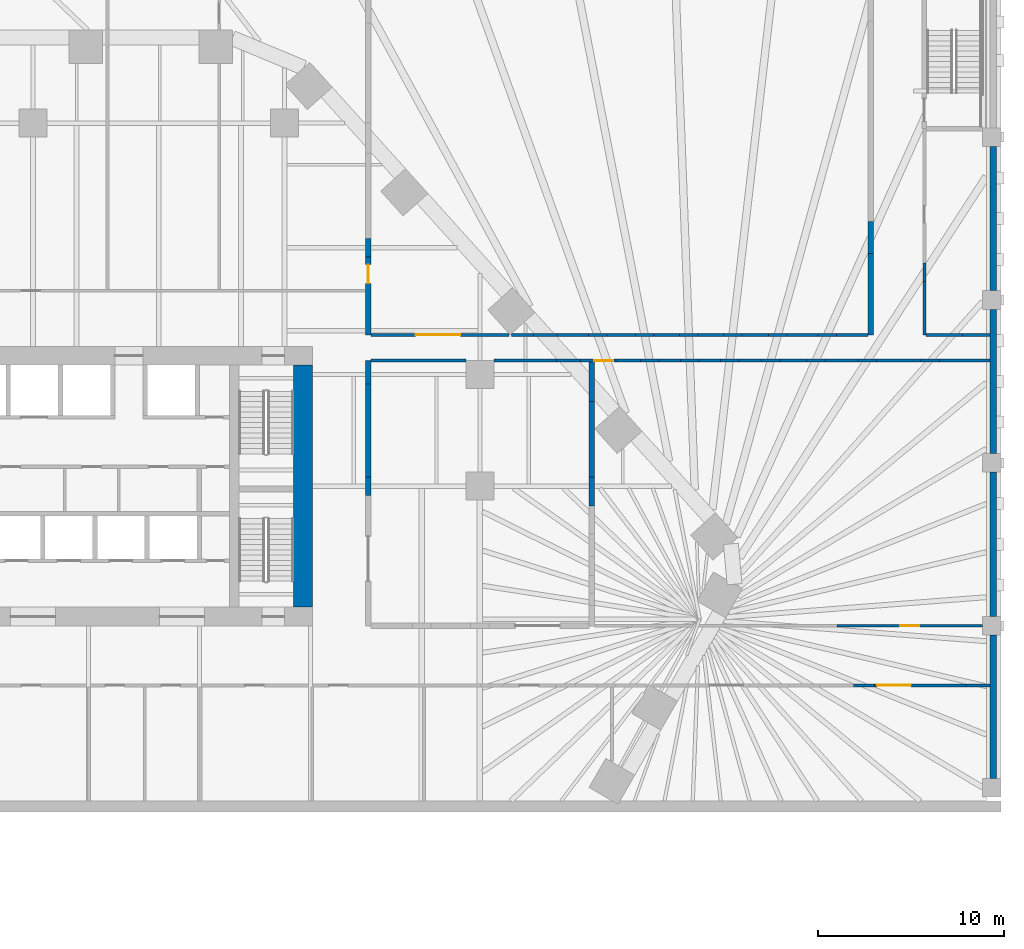
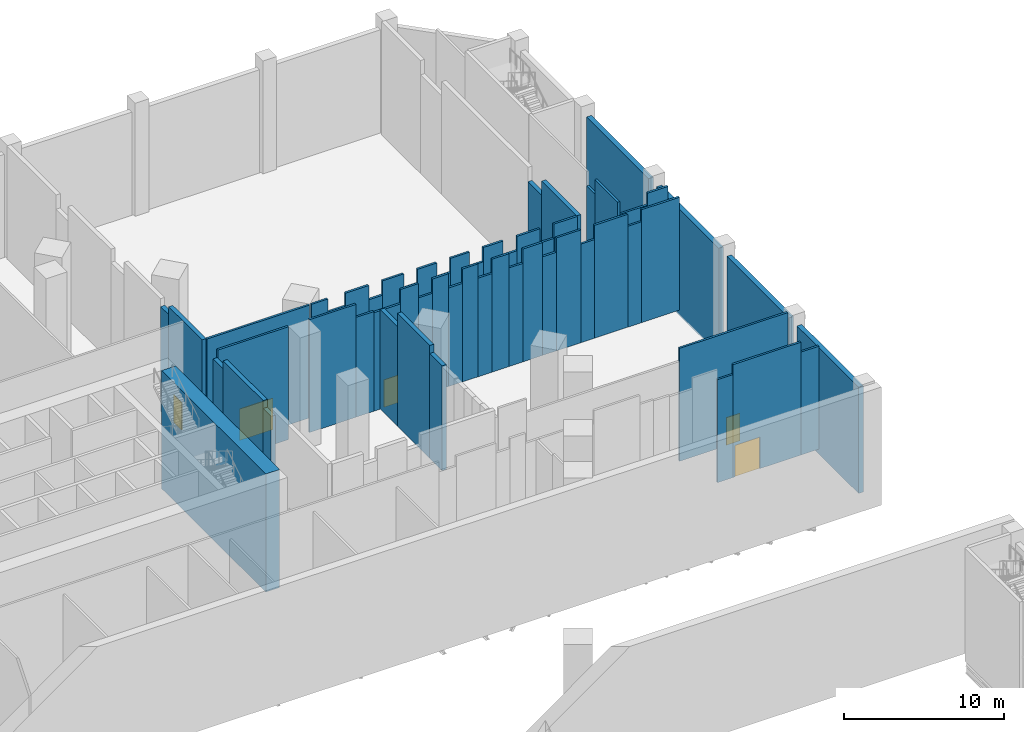
# One storey, part 10 of 23: 58 walls, 5 doors, 5 openings.
"""IFC4 building model written with IfcOpenShell, lengths in metres."""

from ifc_helpers import new_model, si_unit, direction, frame, frame_2d, origin, place, context, subcontext, project, spatial, rectangle, extrude, material, layer, layer_set, type_object, element, fill, save


model = new_model("IFC4")

# Units and contexts
model_context = context("Model", 3, precision=1e-05, world=origin(), true_north=direction((0.0, 1.0)))
body_context = subcontext(model_context, "Body", "Model", "MODEL_VIEW")
ifc_project = project(units=[si_unit("LENGTHUNIT", "METRE"), si_unit("AREAUNIT", "SQUARE_METRE"), si_unit("VOLUMEUNIT", "CUBIC_METRE"), si_unit("PLANEANGLEUNIT", "RADIAN"), si_unit("MASSUNIT", "GRAM", prefix="KILO")], contexts=[model_context])

# Site, building, storey
site_placement = place(None, origin())
site = spatial("IfcSite", under=ifc_project, at=site_placement, CompositionType="ELEMENT")
building_placement = place(site_placement, origin())
building = spatial("IfcBuilding", under=site, at=building_placement, Name="Isthmus Gate Tower", CompositionType="ELEMENT")
storey_placement = place(building_placement, frame((0.0, 0.0, 9.0)))
storey = spatial("IfcBuildingStorey", under=building, at=storey_placement, Name="L01", CompositionType="ELEMENT", Elevation=9.0)

# Walls
ifc_material_1 = material(Name="Double-leaf gypsum board with mineral wool, resilient mounted")
ifc_layer_1 = layer(ifc_material_1, 0.300048828125)
ifc_layer_set_1 = layer_set([ifc_layer_1], Name="Acoustic studio wall 300 double leaf")
wall_type_1 = type_object("IfcWallType", Name="Acoustic studio wall 300 double leaf", PredefinedType="PARTITIONING", material=ifc_layer_set_1)
wall_1_placement = place(storey_placement, frame((18.0, 7.0, 0.0), z_axis=(0.0, 0.0, 1.0), x_axis=(0.0, 1.0, 0.0)))
element("IfcWall", 1, at=wall_1_placement, inside=storey, type_object=wall_type_1, Name="Acoustic studio wall", PredefinedType="PARTITIONING", context=body_context, shape_type="SweptSolid", body=[
    extrude(rectangle(XDim=1.0, YDim=0.300048828125, at=frame_2d((0.5, 0.0))), origin(), (0.0, 0.0, 1.0), 7.99365234375),
])
wall_2_placement = place(storey_placement, frame((18.0, 8.0, 0.0), z_axis=(0.0, 0.0, 1.0), x_axis=(0.0, 1.0, 0.0)))
element("IfcWall", 2, at=wall_2_placement, inside=storey, type_object=wall_type_1, Name="Acoustic studio wall", PredefinedType="PARTITIONING", context=body_context, shape_type="SweptSolid", body=[
    extrude(rectangle(XDim=5.0, YDim=0.300048828125, at=frame_2d((2.5, 0.0))), origin(), (0.0, 0.0, 1.0), 8.60009765625),
])
wall_3_placement = place(storey_placement, frame((18.0, 13.0, 0.0), z_axis=(0.0, 0.0, 1.0), x_axis=(0.0, 1.0, 0.0)))
element("IfcWall", 3, at=wall_3_placement, inside=storey, type_object=wall_type_1, Name="Acoustic studio wall", PredefinedType="PARTITIONING", context=body_context, shape_type="SweptSolid", body=[
    extrude(rectangle(XDim=1.25, YDim=0.300048828125, at=frame_2d((0.625, 0.0))), origin(), (0.0, 0.0, 1.0), 7.99365234375),
])

# Wall, opening, door
wall_4_placement = place(storey_placement, frame((18.0, 15.62939453125, 0.0), z_axis=(0.0, 0.0, 1.0), x_axis=(0.0, 1.0, 0.0)))
wall_4 = element("IfcWall", 4, at=wall_4_placement, inside=storey, type_object=wall_type_1, Name="Acoustic studio wall", PredefinedType="PARTITIONING", context=body_context, shape_type="SweptSolid", body=[
    extrude(rectangle(XDim=4.177734375, YDim=0.300048828125, at=frame_2d((2.0888671875, 0.0))), origin(), (0.0, 0.0, 1.0), 8.60009765625),
])
opening_1_placement = place(wall_4_placement, frame((2.770751953125, 0.0, 0.0)))
opening_1 = element("IfcOpeningElement", 5, at=opening_1_placement, cuts=wall_4, Name="Opening DP01-08", PredefinedType="OPENING", context=body_context, shape_type="SweptSolid", body=[
    extrude(rectangle(XDim=1.0, YDim=2.10009765625, at=frame_2d((0.5, 1.050048828125))), frame((0.0, 0.159912109375, 0.0), z_axis=(0.0, -1.0, 0.0), x_axis=(1.0, 0.0, 0.0)), (0.0, 0.0, 1.0), 0.320068359375),
])
ifc_material_2 = material(Name="Acoustic steel door with perimeter seals", Category="steel")
door_type_1 = type_object("IfcDoorType", Name="Acoustic sound lock door 1000 x 2100", OperationType="SINGLE_SWING_LEFT", PredefinedType="DOOR", material=ifc_material_2)
door_1_placement = place(opening_1_placement, origin())
door_1 = element("IfcDoor", 6, at=door_1_placement, inside=storey, type_object=door_type_1, Name="Door DP01-08", OperationType="SINGLE_SWING_LEFT", OverallHeight=2.10009765625, OverallWidth=1.0, PredefinedType="DOOR", context=body_context, shape_type="SweptSolid", body=[
    extrude(rectangle(XDim=1.0, YDim=2.10009765625, at=frame_2d((0.5, 1.050048828125))), frame((0.0, 0.02490234375, 0.0), z_axis=(0.0, -1.0, 0.0), x_axis=(1.0, 0.0, 0.0)), (0.0, 0.0, 1.0), 0.050048828125),
])
fill(opening_1, door_1)

# Walls
wall_5_placement = place(storey_placement, frame((18.0, 19.80712890625, 0.0), z_axis=(0.0, 0.0, 1.0), x_axis=(0.0, 1.0, 0.0)))
element("IfcWall", 7, at=wall_5_placement, inside=storey, type_object=wall_type_1, Name="Acoustic studio wall", PredefinedType="PARTITIONING", context=body_context, shape_type="SweptSolid", body=[
    extrude(rectangle(XDim=1.0, YDim=0.300048828125, at=frame_2d((0.5, 0.0))), origin(), (0.0, 0.0, 1.0), 7.996826171875),
])
wall_6_placement = place(storey_placement, frame((30.0, 6.447265625, 0.0), z_axis=(0.0, 0.0, 1.0), x_axis=(0.0, 1.0, 0.0)))
element("IfcWall", 8, at=wall_6_placement, inside=storey, type_object=wall_type_1, Name="Acoustic studio wall", PredefinedType="PARTITIONING", context=body_context, shape_type="SweptSolid", body=[
    extrude(rectangle(XDim=1.552734375, YDim=0.300048828125, at=frame_2d((0.7763671875, 0.0))), origin(), (0.0, 0.0, 1.0), 7.99365234375),
])
wall_7_placement = place(storey_placement, frame((30.0, 8.0, 0.0), z_axis=(0.0, 0.0, 1.0), x_axis=(0.0, 1.0, 0.0)))
element("IfcWall", 9, at=wall_7_placement, inside=storey, type_object=wall_type_1, Name="Acoustic studio wall", PredefinedType="PARTITIONING", context=body_context, shape_type="SweptSolid", body=[
    extrude(rectangle(XDim=4.0400390625, YDim=0.300048828125, at=frame_2d((2.02001953125, 0.0))), origin(), (0.0, 0.0, 1.0), 8.60009765625),
])
wall_8_placement = place(storey_placement, frame((30.0, 12.0400390625, 0.0), z_axis=(0.0, 0.0, 1.0), x_axis=(0.0, 1.0, 0.0)))
element("IfcWall", 10, at=wall_8_placement, inside=storey, type_object=wall_type_1, Name="Acoustic studio wall", PredefinedType="PARTITIONING", context=body_context, shape_type="SweptSolid", body=[
    extrude(rectangle(XDim=2.135009765625, YDim=0.300048828125, at=frame_2d((1.0673828125, 0.0))), origin(), (0.0, 0.0, 1.0), 7.60009765625),
])
wall_9_placement = place(storey_placement, frame((45.0, 15.62939453125, 0.0), z_axis=(0.0, 0.0, 1.0), x_axis=(0.0, 1.0, 0.0)))
element("IfcWall", 11, at=wall_9_placement, inside=storey, type_object=wall_type_1, Name="Acoustic studio wall", PredefinedType="PARTITIONING", context=body_context, shape_type="SweptSolid", body=[
    extrude(rectangle(XDim=4.37646484375, YDim=0.300048828125, at=frame_2d((2.188232421875, 0.0))), origin(), (0.0, 0.0, 1.0), 8.60009765625),
])
wall_10_placement = place(storey_placement, frame((45.0, 20.005859375, 0.0), z_axis=(0.0, 0.0, 1.0), x_axis=(0.0, 1.0, 0.0)))
element("IfcWall", 12, at=wall_10_placement, inside=storey, type_object=wall_type_1, Name="Acoustic studio wall", PredefinedType="PARTITIONING", context=body_context, shape_type="SweptSolid", body=[
    extrude(rectangle(XDim=1.711181640625, YDim=0.300048828125, at=frame_2d((0.85546875, 0.0))), origin(), (0.0, 0.0, 1.0), 7.510986328125),
])
ifc_material_3 = material(Name="Fire-rated gypsum board on steel studs", Category="steel")
ifc_layer_2 = layer(ifc_material_3, 0.14990234375)
ifc_layer_set_2 = layer_set([ifc_layer_2], Name="Fire-rated partition 150 EI 60")
wall_type_2 = type_object("IfcWallType", Name="Fire-rated partition 150 EI 60", PredefinedType="PARTITIONING", material=ifc_layer_set_2)
wall_11_placement = place(storey_placement, frame((47.875, 15.62939453125, 0.0), z_axis=(0.0, 0.0, 1.0), x_axis=(0.0, 1.0, 0.0)))
element("IfcWall", 13, at=wall_11_placement, inside=storey, type_object=wall_type_2, Name="Fire-rated partition", PredefinedType="PARTITIONING", context=body_context, shape_type="SweptSolid", body=[
    extrude(rectangle(XDim=2.85546875, YDim=0.14990234375, at=frame_2d((1.427734375, 0.0))), origin(), (0.0, 0.0, 1.0), 8.60009765625),
])
wall_12_placement = place(storey_placement, frame((47.875, 18.48486328125, 0.0), z_axis=(0.0, 0.0, 1.0), x_axis=(0.0, 1.0, 0.0)))
element("IfcWall", 14, at=wall_12_placement, inside=storey, type_object=wall_type_2, Name="Fire-rated partition", PredefinedType="PARTITIONING", context=body_context, shape_type="SweptSolid", body=[
    extrude(rectangle(XDim=1.01171875, YDim=0.14990234375, at=frame_2d((0.505859375, 0.0))), origin(), (0.0, 0.0, 1.0), 7.510986328125),
])
ifc_material_4 = material(Name="Precast concrete C40/50, limestone-faced", Category="masonry")
ifc_layer_3 = layer(ifc_material_4, 0.35009765625)
ifc_layer_set_3 = layer_set([ifc_layer_3], Name="PODIUM CLADDING WALL 350")
wall_type_3 = type_object("IfcWallType", Name="PODIUM CLADDING WALL 350", PredefinedType="SOLIDWALL", material=ifc_layer_set_3)
wall_13_placement = place(storey_placement, frame((51.574951171875, -8.199951171875, -0.39990234375), z_axis=(0.0, 0.0, 1.0), x_axis=(0.0, 1.0, 0.0)))
element("IfcWall", 15, at=wall_13_placement, inside=storey, type_object=wall_type_3, Name="PODIUM WALL", PredefinedType="SOLIDWALL", context=body_context, shape_type="SweptSolid", body=[
    extrude(rectangle(XDim=7.699951171875, YDim=0.35009765625, at=frame_2d((3.85009765625, 0.0))), origin(), (0.0, 0.0, 1.0), 8.099853515625),
])
for number, where, z_axis, x_axis, name in (
    (16, (51.574951171875, 0.5, -0.39990234375), (0.0, 0.0, 1.0), (0.0, 1.0, 0.0), "PODIUM WALL"),
    (17, (51.574951171875, 9.25, -0.39990234375), (0.0, 0.0, 1.0), (0.0, 1.0, 0.0), "PODIUM WALL"),
    (18, (51.574951171875, 18.0, -0.39990234375), (0.0, 0.0, 1.0), (0.0, 1.0, 0.0), "PODIUM WALL"),
):
    element("IfcWall", number, at=place(storey_placement, frame(where, z_axis=z_axis, x_axis=x_axis)), inside=storey, type_object=wall_type_3, Name=name, PredefinedType="SOLIDWALL", context=body_context, shape_type="SweptSolid", body=[
        extrude(rectangle(XDim=7.75, YDim=0.35009765625, at=frame_2d((3.875, 0.0))), origin(), (0.0, 0.0, 1.0), 8.099853515625),
    ])
ifc_material_5 = material(Name="Gypsum board on cold-formed steel studs", Category="steel")
ifc_layer_4 = layer(ifc_material_5, 0.14990234375)
ifc_layer_set_4 = layer_set([ifc_layer_4])
wall_type_4 = type_object("IfcWallType", Name="Partition 150 gypsum board on steel studs", PredefinedType="PARTITIONING", material=ifc_layer_set_4)
wall_14_placement = place(storey_placement, frame((44.077392578125, -3.199951171875, 0.0), z_axis=(0.0, 0.0, 1.0), x_axis=(1.0, 0.0, 0.0)))
element("IfcWall", 19, at=wall_14_placement, inside=storey, type_object=wall_type_4, Name="Partition", PredefinedType="PARTITIONING", context=body_context, shape_type="SweptSolid", body=[
    extrude(rectangle(XDim=1.11474609375, YDim=0.14990234375, at=frame_2d((0.557373046875, 0.0))), origin(), (0.0, 0.0, 1.0), 7.84130859375),
])

# Wall, opening, door
wall_15_placement = place(storey_placement, frame((45.192138671875, -3.199951171875, 0.0), z_axis=(0.0, 0.0, 1.0), x_axis=(1.0, 0.0, 0.0)))
wall_15 = element("IfcWall", 20, at=wall_15_placement, inside=storey, type_object=wall_type_4, Name="Partition", PredefinedType="PARTITIONING", context=body_context, shape_type="SweptSolid", body=[
    extrude(rectangle(XDim=4.90380859375, YDim=0.14990234375, at=frame_2d((2.451904296875, 0.0))), origin(), (0.0, 0.0, 1.0), 8.60009765625),
])
opening_2_placement = place(wall_15_placement, frame((0.14990234375, 0.0, 0.0)))
opening_2 = element("IfcOpeningElement", 21, at=opening_2_placement, cuts=wall_15, Name="Opening DP01-24", PredefinedType="OPENING", context=body_context, shape_type="SweptSolid", body=[
    extrude(rectangle(XDim=1.800048828125, YDim=2.39990234375, at=frame_2d((0.89990234375, 1.199951171875))), frame((0.0, 0.0849609375, 0.0), z_axis=(0.0, -1.0, 0.0), x_axis=(1.0, 0.0, 0.0)), (0.0, 0.0, 1.0), 0.169921875),
])
ifc_material_6 = material(Name="Hollow metal frame with solid-core timber leaves", Category="wood")
door_type_2 = type_object("IfcDoorType", Name="Double swing door 1800 x 2400", OperationType="DOUBLE_DOOR_SINGLE_SWING", PredefinedType="DOOR", material=ifc_material_6)
door_2_placement = place(opening_2_placement, origin())
door_2 = element("IfcDoor", 22, at=door_2_placement, inside=storey, type_object=door_type_2, Name="Door DP01-24", OperationType="SINGLE_SWING_LEFT", OverallHeight=2.39990234375, OverallWidth=1.800048828125, PredefinedType="DOOR", context=body_context, shape_type="SweptSolid", body=[
    extrude(rectangle(XDim=1.800048828125, YDim=2.39990234375, at=frame_2d((0.89990234375, 1.199951171875))), frame((0.0, 0.02490234375, 0.0), z_axis=(0.0, -1.0, 0.0), x_axis=(1.0, 0.0, 0.0)), (0.0, 0.0, 1.0), 0.050048828125),
])
fill(opening_2, door_2)

# Wall
wall_16_placement = place(storey_placement, frame((50.095947265625, -3.199951171875, 0.0), z_axis=(0.0, 0.0, 1.0), x_axis=(1.0, 0.0, 0.0)))
element("IfcWall", 23, at=wall_16_placement, inside=storey, type_object=wall_type_4, Name="Partition", PredefinedType="PARTITIONING", context=body_context, shape_type="SweptSolid", body=[
    extrude(rectangle(XDim=1.303955078125, YDim=0.14990234375, at=frame_2d((0.65185546875, 0.0))), origin(), (0.0, 0.0, 1.0), 7.84130859375),
])

# Wall, opening, door
wall_17_placement = place(storey_placement, frame((43.185791015625, 0.0, 0.0), z_axis=(0.0, 0.0, 1.0), x_axis=(1.0, 0.0, 0.0)))
wall_17 = element("IfcWall", 24, at=wall_17_placement, inside=storey, type_object=wall_type_4, Name="Partition", PredefinedType="PARTITIONING", context=body_context, shape_type="SweptSolid", body=[
    extrude(rectangle(XDim=7.814208984375, YDim=0.14990234375, at=frame_2d((3.9072265625, 0.0))), origin(), (0.0, 0.0, 1.0), 8.60009765625),
])
opening_3_placement = place(wall_17_placement, frame((3.39990234375, 0.0, 0.0)))
opening_3 = element("IfcOpeningElement", 25, at=opening_3_placement, cuts=wall_17, Name="Opening DP01-34", PredefinedType="OPENING", context=body_context, shape_type="SweptSolid", body=[
    extrude(rectangle(XDim=1.0, YDim=2.10009765625, at=frame_2d((0.5, 1.050048828125))), frame((0.0, 0.0849609375, 0.0), z_axis=(0.0, -1.0, 0.0), x_axis=(1.0, 0.0, 0.0)), (0.0, 0.0, 1.0), 0.169921875),
])
ifc_material_7 = material(Name="Hollow metal frame with solid-core timber leaf", Category="wood")
door_type_3 = type_object("IfcDoorType", Name="Single swing door 1000 x 2100", OperationType="SINGLE_SWING_LEFT", PredefinedType="DOOR", material=ifc_material_7)
door_3_placement = place(opening_3_placement, origin())
door_3 = element("IfcDoor", 26, at=door_3_placement, inside=storey, type_object=door_type_3, Name="Door DP01-34", OperationType="SINGLE_SWING_LEFT", OverallHeight=2.10009765625, OverallWidth=1.0, PredefinedType="DOOR", context=body_context, shape_type="SweptSolid", body=[
    extrude(rectangle(XDim=1.0, YDim=2.10009765625, at=frame_2d((0.5, 1.050048828125))), frame((0.0, 0.02490234375, 0.0), z_axis=(0.0, -1.0, 0.0), x_axis=(1.0, 0.0, 0.0)), (0.0, 0.0, 1.0), 0.050048828125),
])
fill(opening_3, door_3)

# Walls
wall_18_placement = place(storey_placement, frame((18.14990234375, 14.25, 0.0), z_axis=(0.0, 0.0, 1.0), x_axis=(1.0, 0.0, 0.0)))
element("IfcWall", 27, at=wall_18_placement, inside=storey, type_object=wall_type_4, Name="Partition", PredefinedType="PARTITIONING", context=body_context, shape_type="SweptSolid", body=[
    extrude(rectangle(XDim=5.10009765625, YDim=0.14990234375, at=frame_2d((2.550048828125, 0.0))), origin(), (0.0, 0.0, 1.0), 8.60009765625),
])
wall_19_placement = place(storey_placement, frame((24.75, 14.25, 0.0), z_axis=(0.0, 0.0, 1.0), x_axis=(1.0, 0.0, 0.0)))
element("IfcWall", 28, at=wall_19_placement, inside=storey, type_object=wall_type_4, Name="Partition", PredefinedType="PARTITIONING", context=body_context, shape_type="SweptSolid", body=[
    extrude(rectangle(XDim=3.361083984375, YDim=0.14990234375, at=frame_2d((1.6806640625, 0.0))), origin(), (0.0, 0.0, 1.0), 8.60009765625),
])
wall_20_placement = place(storey_placement, frame((28.111083984375, 14.25, 0.0), z_axis=(0.0, 0.0, 1.0), x_axis=(1.0, 0.0, 0.0)))
element("IfcWall", 29, at=wall_20_placement, inside=storey, type_object=wall_type_4, Name="Partition", PredefinedType="PARTITIONING", context=body_context, shape_type="SweptSolid", body=[
    extrude(rectangle(XDim=1.2783203125, YDim=0.14990234375, at=frame_2d((0.63916015625, 0.0))), origin(), (0.0, 0.0, 1.0), 7.60009765625),
])

# Wall, opening, door
wall_21_placement = place(storey_placement, frame((29.389404296875, 14.25, 0.0), z_axis=(0.0, 0.0, 1.0), x_axis=(1.0, 0.0, 0.0)))
wall_21 = element("IfcWall", 30, at=wall_21_placement, inside=storey, type_object=wall_type_4, Name="Partition", PredefinedType="PARTITIONING", context=body_context, shape_type="SweptSolid", body=[
    extrude(rectangle(XDim=1.92919921875, YDim=0.14990234375, at=frame_2d((0.964599609375, 0.0))), origin(), (0.0, 0.0, 1.0), 7.510986328125),
])
opening_4_placement = place(wall_21_placement, frame((0.760498046875, 0.0, 0.0)))
opening_4 = element("IfcOpeningElement", 31, at=opening_4_placement, cuts=wall_21, Name="Opening DP01-35", PredefinedType="OPENING", context=body_context, shape_type="SweptSolid", body=[
    extrude(rectangle(XDim=1.0, YDim=2.10009765625, at=frame_2d((0.5, 1.050048828125))), frame((0.0, 0.0849609375, 0.0), z_axis=(0.0, -1.0, 0.0), x_axis=(1.0, 0.0, 0.0)), (0.0, 0.0, 1.0), 0.169921875),
])
door_4_placement = place(opening_4_placement, origin())
door_4 = element("IfcDoor", 32, at=door_4_placement, inside=storey, type_object=door_type_3, Name="Door DP01-35", OperationType="SINGLE_SWING_LEFT", OverallHeight=2.10009765625, OverallWidth=1.0, PredefinedType="DOOR", context=body_context, shape_type="SweptSolid", body=[
    extrude(rectangle(XDim=1.0, YDim=2.10009765625, at=frame_2d((0.5, 1.050048828125))), frame((0.0, 0.02490234375, 0.0), z_axis=(0.0, -1.0, 0.0), x_axis=(1.0, 0.0, 0.0)), (0.0, 0.0, 1.0), 0.050048828125),
])
fill(opening_4, door_4)

# Walls
wall_22_placement = place(storey_placement, frame((31.318603515625, 14.25, 0.0), z_axis=(0.0, 0.0, 1.0), x_axis=(1.0, 0.0, 0.0)))
element("IfcWall", 33, at=wall_22_placement, inside=storey, type_object=wall_type_4, Name="Partition", PredefinedType="PARTITIONING", context=body_context, shape_type="SweptSolid", body=[
    extrude(rectangle(XDim=1.29541015625, YDim=0.14990234375, at=frame_2d((0.647705078125, 0.0))), origin(), (0.0, 0.0, 1.0), 8.60009765625),
])
wall_23_placement = place(storey_placement, frame((32.614013671875, 14.25, 0.0), z_axis=(0.0, 0.0, 1.0), x_axis=(1.0, 0.0, 0.0)))
element("IfcWall", 34, at=wall_23_placement, inside=storey, type_object=wall_type_4, Name="Partition", PredefinedType="PARTITIONING", context=body_context, shape_type="SweptSolid", body=[
    extrude(rectangle(XDim=1.0, YDim=0.14990234375, at=frame_2d((0.5, 0.0))), origin(), (0.0, 0.0, 1.0), 7.510986328125),
])
wall_24_placement = place(storey_placement, frame((33.614013671875, 14.25, 0.0), z_axis=(0.0, 0.0, 1.0), x_axis=(1.0, 0.0, 0.0)))
element("IfcWall", 35, at=wall_24_placement, inside=storey, type_object=wall_type_4, Name="Partition", PredefinedType="PARTITIONING", context=body_context, shape_type="SweptSolid", body=[
    extrude(rectangle(XDim=1.16162109375, YDim=0.14990234375, at=frame_2d((0.580810546875, 0.0))), origin(), (0.0, 0.0, 1.0), 8.60009765625),
])
wall_25_placement = place(storey_placement, frame((34.775634765625, 14.25, 0.0), z_axis=(0.0, 0.0, 1.0), x_axis=(1.0, 0.0, 0.0)))
element("IfcWall", 36, at=wall_25_placement, inside=storey, type_object=wall_type_4, Name="Partition", PredefinedType="PARTITIONING", context=body_context, shape_type="SweptSolid", body=[
    extrude(rectangle(XDim=1.0, YDim=0.14990234375, at=frame_2d((0.5, 0.0))), origin(), (0.0, 0.0, 1.0), 7.510986328125),
])
wall_26_placement = place(storey_placement, frame((35.775634765625, 14.25, 0.0), z_axis=(0.0, 0.0, 1.0), x_axis=(1.0, 0.0, 0.0)))
element("IfcWall", 37, at=wall_26_placement, inside=storey, type_object=wall_type_4, Name="Partition", PredefinedType="PARTITIONING", context=body_context, shape_type="SweptSolid", body=[
    extrude(rectangle(XDim=1.136474609375, YDim=0.14990234375, at=frame_2d((0.568359375, 0.0))), origin(), (0.0, 0.0, 1.0), 8.60009765625),
])
wall_27_placement = place(storey_placement, frame((36.912109375, 14.25, 0.0), z_axis=(0.0, 0.0, 1.0), x_axis=(1.0, 0.0, 0.0)))
element("IfcWall", 38, at=wall_27_placement, inside=storey, type_object=wall_type_4, Name="Partition", PredefinedType="PARTITIONING", context=body_context, shape_type="SweptSolid", body=[
    extrude(rectangle(XDim=1.0, YDim=0.14990234375, at=frame_2d((0.5, 0.0))), origin(), (0.0, 0.0, 1.0), 7.510986328125),
])
wall_28_placement = place(storey_placement, frame((37.912109375, 14.25, 0.0), z_axis=(0.0, 0.0, 1.0), x_axis=(1.0, 0.0, 0.0)))
element("IfcWall", 39, at=wall_28_placement, inside=storey, type_object=wall_type_4, Name="Partition", PredefinedType="PARTITIONING", context=body_context, shape_type="SweptSolid", body=[
    extrude(rectangle(XDim=1.2138671875, YDim=0.14990234375, at=frame_2d((0.60693359375, 0.0))), origin(), (0.0, 0.0, 1.0), 8.60009765625),
])
wall_29_placement = place(storey_placement, frame((39.1259765625, 14.25, 0.0), z_axis=(0.0, 0.0, 1.0), x_axis=(1.0, 0.0, 0.0)))
element("IfcWall", 40, at=wall_29_placement, inside=storey, type_object=wall_type_4, Name="Partition", PredefinedType="PARTITIONING", context=body_context, shape_type="SweptSolid", body=[
    extrude(rectangle(XDim=1.0, YDim=0.14990234375, at=frame_2d((0.5, 0.0))), origin(), (0.0, 0.0, 1.0), 7.510986328125),
])
wall_30_placement = place(storey_placement, frame((40.1259765625, 14.25, 0.0), z_axis=(0.0, 0.0, 1.0), x_axis=(1.0, 0.0, 0.0)))
element("IfcWall", 41, at=wall_30_placement, inside=storey, type_object=wall_type_4, Name="Partition", PredefinedType="PARTITIONING", context=body_context, shape_type="SweptSolid", body=[
    extrude(rectangle(XDim=1.41015625, YDim=0.14990234375, at=frame_2d((0.705078125, 0.0))), origin(), (0.0, 0.0, 1.0), 8.60009765625),
])
wall_31_placement = place(storey_placement, frame((41.5361328125, 14.25, 0.0), z_axis=(0.0, 0.0, 1.0), x_axis=(1.0, 0.0, 0.0)))
element("IfcWall", 42, at=wall_31_placement, inside=storey, type_object=wall_type_4, Name="Partition", PredefinedType="PARTITIONING", context=body_context, shape_type="SweptSolid", body=[
    extrude(rectangle(XDim=1.0, YDim=0.14990234375, at=frame_2d((0.5, 0.0))), origin(), (0.0, 0.0, 1.0), 7.510986328125),
])
wall_32_placement = place(storey_placement, frame((42.5361328125, 14.25, 0.0), z_axis=(0.0, 0.0, 1.0), x_axis=(1.0, 0.0, 0.0)))
element("IfcWall", 43, at=wall_32_placement, inside=storey, type_object=wall_type_4, Name="Partition", PredefinedType="PARTITIONING", context=body_context, shape_type="SweptSolid", body=[
    extrude(rectangle(XDim=1.768798828125, YDim=0.14990234375, at=frame_2d((0.88427734375, 0.0))), origin(), (0.0, 0.0, 1.0), 8.60009765625),
])
wall_33_placement = place(storey_placement, frame((44.304931640625, 14.25, 0.0), z_axis=(0.0, 0.0, 1.0), x_axis=(1.0, 0.0, 0.0)))
element("IfcWall", 44, at=wall_33_placement, inside=storey, type_object=wall_type_4, Name="Partition", PredefinedType="PARTITIONING", context=body_context, shape_type="SweptSolid", body=[
    extrude(rectangle(XDim=1.0, YDim=0.14990234375, at=frame_2d((0.5, 0.0))), origin(), (0.0, 0.0, 1.0), 7.510986328125),
])
wall_34_placement = place(storey_placement, frame((45.304931640625, 14.25, 0.0), z_axis=(0.0, 0.0, 1.0), x_axis=(1.0, 0.0, 0.0)))
element("IfcWall", 45, at=wall_34_placement, inside=storey, type_object=wall_type_4, Name="Partition", PredefinedType="PARTITIONING", context=body_context, shape_type="SweptSolid", body=[
    extrude(rectangle(XDim=2.38427734375, YDim=0.14990234375, at=frame_2d((1.192138671875, 0.0))), origin(), (0.0, 0.0, 1.0), 8.60009765625),
])
wall_35_placement = place(storey_placement, frame((47.689208984375, 14.25, 0.0), z_axis=(0.0, 0.0, 1.0), x_axis=(1.0, 0.0, 0.0)))
element("IfcWall", 46, at=wall_35_placement, inside=storey, type_object=wall_type_4, Name="Partition", PredefinedType="PARTITIONING", context=body_context, shape_type="SweptSolid", body=[
    extrude(rectangle(XDim=1.0, YDim=0.14990234375, at=frame_2d((0.5, 0.0))), origin(), (0.0, 0.0, 1.0), 7.685546875),
])
wall_36_placement = place(storey_placement, frame((48.689208984375, 14.25, 0.0), z_axis=(0.0, 0.0, 1.0), x_axis=(1.0, 0.0, 0.0)))
element("IfcWall", 47, at=wall_36_placement, inside=storey, type_object=wall_type_4, Name="Partition", PredefinedType="PARTITIONING", context=body_context, shape_type="SweptSolid", body=[
    extrude(rectangle(XDim=2.710693359375, YDim=0.14990234375, at=frame_2d((1.35546875, 0.0))), origin(), (0.0, 0.0, 1.0), 8.60009765625),
])

# Wall, opening, door
wall_37_placement = place(storey_placement, frame((18.14990234375, 15.62890625, 0.0), z_axis=(0.0, 0.0, 1.0), x_axis=(1.0, 0.0, 0.0)))
wall_37 = element("IfcWall", 48, at=wall_37_placement, inside=storey, type_object=wall_type_4, Name="Partition", PredefinedType="PARTITIONING", context=body_context, shape_type="SweptSolid", body=[
    extrude(rectangle(XDim=7.4072265625, YDim=0.14990234375, at=frame_2d((3.70361328125, 0.0))), origin(), (0.0, 0.0, 1.0), 8.60009765625),
])
opening_5_placement = place(wall_37_placement, frame((2.39990234375, 0.0, 0.0)))
opening_5 = element("IfcOpeningElement", 49, at=opening_5_placement, cuts=wall_37, Name="Opening DP01-26", PredefinedType="OPENING", context=body_context, shape_type="SweptSolid", body=[
    extrude(rectangle(XDim=2.39990234375, YDim=2.39990234375, at=frame_2d((1.199951171875, 1.199951171875))), frame((0.0, 0.0849609375, 0.0), z_axis=(0.0, -1.0, 0.0), x_axis=(1.0, 0.0, 0.0)), (0.0, 0.0, 1.0), 0.169921875),
])
ifc_material_8 = material(Name="Hollow metal frame with solid-core timber leaves", Category="wood")
door_type_4 = type_object("IfcDoorType", Name="Double swing door 2400 x 2400", OperationType="DOUBLE_DOOR_SINGLE_SWING", PredefinedType="DOOR", material=ifc_material_8)
door_5_placement = place(opening_5_placement, origin())
door_5 = element("IfcDoor", 50, at=door_5_placement, inside=storey, type_object=door_type_4, Name="Door DP01-26", OperationType="SINGLE_SWING_LEFT", OverallHeight=2.39990234375, OverallWidth=2.39990234375, PredefinedType="DOOR", context=body_context, shape_type="SweptSolid", body=[
    extrude(rectangle(XDim=2.39990234375, YDim=2.39990234375, at=frame_2d((1.199951171875, 1.199951171875))), frame((0.0, 0.02490234375, 0.0), z_axis=(0.0, -1.0, 0.0), x_axis=(1.0, 0.0, 0.0)), (0.0, 0.0, 1.0), 0.050048828125),
])
fill(opening_5, door_5)

# Walls
wall_38_placement = place(storey_placement, frame((25.70751953125, 15.62890625, 0.0), z_axis=(0.0, 0.0, 1.0), x_axis=(1.0, 0.0, 0.0)))
element("IfcWall", 51, at=wall_38_placement, inside=storey, type_object=wall_type_4, Name="Partition", PredefinedType="PARTITIONING", context=body_context, shape_type="SweptSolid", body=[
    extrude(rectangle(XDim=1.161865234375, YDim=0.14990234375, at=frame_2d((0.5810546875, 0.0))), origin(), (0.0, 0.0, 1.0), 8.60009765625),
])
wall_39_placement = place(storey_placement, frame((26.869384765625, 15.62890625, 0.0), z_axis=(0.0, 0.0, 1.0), x_axis=(1.0, 0.0, 0.0)))
element("IfcWall", 52, at=wall_39_placement, inside=storey, type_object=wall_type_4, Name="Partition", PredefinedType="PARTITIONING", context=body_context, shape_type="SweptSolid", body=[
    extrude(rectangle(XDim=1.2783203125, YDim=0.14990234375, at=frame_2d((0.63916015625, 0.0))), origin(), (0.0, 0.0, 1.0), 7.60009765625),
])
wall_40_placement = place(storey_placement, frame((28.147705078125, 15.62890625, 0.0), z_axis=(0.0, 0.0, 1.0), x_axis=(1.0, 0.0, 0.0)))
element("IfcWall", 53, at=wall_40_placement, inside=storey, type_object=wall_type_4, Name="Partition", PredefinedType="PARTITIONING", context=body_context, shape_type="SweptSolid", body=[
    extrude(rectangle(XDim=1.675537109375, YDim=0.14990234375, at=frame_2d((0.837890625, 0.0))), origin(), (0.0, 0.0, 1.0), 8.60009765625),
])
wall_41_placement = place(storey_placement, frame((29.8232421875, 15.62890625, 0.0), z_axis=(0.0, 0.0, 1.0), x_axis=(1.0, 0.0, 0.0)))
element("IfcWall", 54, at=wall_41_placement, inside=storey, type_object=wall_type_4, Name="Partition", PredefinedType="PARTITIONING", context=body_context, shape_type="SweptSolid", body=[
    extrude(rectangle(XDim=1.0, YDim=0.14990234375, at=frame_2d((0.5, 0.0))), origin(), (0.0, 0.0, 1.0), 7.510986328125),
])
wall_42_placement = place(storey_placement, frame((30.8232421875, 15.62890625, 0.0), z_axis=(0.0, 0.0, 1.0), x_axis=(1.0, 0.0, 0.0)))
element("IfcWall", 55, at=wall_42_placement, inside=storey, type_object=wall_type_4, Name="Partition", PredefinedType="PARTITIONING", context=body_context, shape_type="SweptSolid", body=[
    extrude(rectangle(XDim=1.523193359375, YDim=0.14990234375, at=frame_2d((0.76171875, 0.0))), origin(), (0.0, 0.0, 1.0), 8.60009765625),
])
wall_43_placement = place(storey_placement, frame((32.346435546875, 15.62890625, 0.0), z_axis=(0.0, 0.0, 1.0), x_axis=(1.0, 0.0, 0.0)))
element("IfcWall", 56, at=wall_43_placement, inside=storey, type_object=wall_type_4, Name="Partition", PredefinedType="PARTITIONING", context=body_context, shape_type="SweptSolid", body=[
    extrude(rectangle(XDim=1.0, YDim=0.14990234375, at=frame_2d((0.5, 0.0))), origin(), (0.0, 0.0, 1.0), 7.510986328125),
])
wall_44_placement = place(storey_placement, frame((33.346435546875, 15.62890625, 0.0), z_axis=(0.0, 0.0, 1.0), x_axis=(1.0, 0.0, 0.0)))
element("IfcWall", 57, at=wall_44_placement, inside=storey, type_object=wall_type_4, Name="Partition", PredefinedType="PARTITIONING", context=body_context, shape_type="SweptSolid", body=[
    extrude(rectangle(XDim=1.37646484375, YDim=0.14990234375, at=frame_2d((0.688232421875, 0.0))), origin(), (0.0, 0.0, 1.0), 8.60009765625),
])
wall_45_placement = place(storey_placement, frame((34.722900390625, 15.62890625, 0.0), z_axis=(0.0, 0.0, 1.0), x_axis=(1.0, 0.0, 0.0)))
element("IfcWall", 58, at=wall_45_placement, inside=storey, type_object=wall_type_4, Name="Partition", PredefinedType="PARTITIONING", context=body_context, shape_type="SweptSolid", body=[
    extrude(rectangle(XDim=1.0, YDim=0.14990234375, at=frame_2d((0.5, 0.0))), origin(), (0.0, 0.0, 1.0), 7.510986328125),
])
wall_46_placement = place(storey_placement, frame((35.722900390625, 15.62890625, 0.0), z_axis=(0.0, 0.0, 1.0), x_axis=(1.0, 0.0, 0.0)))
element("IfcWall", 59, at=wall_46_placement, inside=storey, type_object=wall_type_4, Name="Partition", PredefinedType="PARTITIONING", context=body_context, shape_type="SweptSolid", body=[
    extrude(rectangle(XDim=1.348388671875, YDim=0.14990234375, at=frame_2d((0.67431640625, 0.0))), origin(), (0.0, 0.0, 1.0), 8.60009765625),
])
wall_47_placement = place(storey_placement, frame((37.0712890625, 15.62890625, 0.0), z_axis=(0.0, 0.0, 1.0), x_axis=(1.0, 0.0, 0.0)))
element("IfcWall", 60, at=wall_47_placement, inside=storey, type_object=wall_type_4, Name="Partition", PredefinedType="PARTITIONING", context=body_context, shape_type="SweptSolid", body=[
    extrude(rectangle(XDim=1.0, YDim=0.14990234375, at=frame_2d((0.5, 0.0))), origin(), (0.0, 0.0, 1.0), 7.510986328125),
])
wall_48_placement = place(storey_placement, frame((38.0712890625, 15.62890625, 0.0), z_axis=(0.0, 0.0, 1.0), x_axis=(1.0, 0.0, 0.0)))
element("IfcWall", 61, at=wall_48_placement, inside=storey, type_object=wall_type_4, Name="Partition", PredefinedType="PARTITIONING", context=body_context, shape_type="SweptSolid", body=[
    extrude(rectangle(XDim=1.43359375, YDim=0.14990234375, at=frame_2d((0.716796875, 0.0))), origin(), (0.0, 0.0, 1.0), 8.60009765625),
])
wall_49_placement = place(storey_placement, frame((39.5048828125, 15.62890625, 0.0), z_axis=(0.0, 0.0, 1.0), x_axis=(1.0, 0.0, 0.0)))
element("IfcWall", 62, at=wall_49_placement, inside=storey, type_object=wall_type_4, Name="Partition", PredefinedType="PARTITIONING", context=body_context, shape_type="SweptSolid", body=[
    extrude(rectangle(XDim=1.0, YDim=0.14990234375, at=frame_2d((0.5, 0.0))), origin(), (0.0, 0.0, 1.0), 7.510986328125),
])
wall_50_placement = place(storey_placement, frame((40.5048828125, 15.62890625, 0.0), z_axis=(0.0, 0.0, 1.0), x_axis=(1.0, 0.0, 0.0)))
element("IfcWall", 63, at=wall_50_placement, inside=storey, type_object=wall_type_4, Name="Partition", PredefinedType="PARTITIONING", context=body_context, shape_type="SweptSolid", body=[
    extrude(rectangle(XDim=1.6494140625, YDim=0.14990234375, at=frame_2d((0.82470703125, 0.0))), origin(), (0.0, 0.0, 1.0), 8.60009765625),
])
wall_51_placement = place(storey_placement, frame((42.154296875, 15.62890625, 0.0), z_axis=(0.0, 0.0, 1.0), x_axis=(1.0, 0.0, 0.0)))
element("IfcWall", 64, at=wall_51_placement, inside=storey, type_object=wall_type_4, Name="Partition", PredefinedType="PARTITIONING", context=body_context, shape_type="SweptSolid", body=[
    extrude(rectangle(XDim=1.0, YDim=0.14990234375, at=frame_2d((0.5, 0.0))), origin(), (0.0, 0.0, 1.0), 7.510986328125),
])
wall_52_placement = place(storey_placement, frame((43.154296875, 15.62890625, 0.0), z_axis=(0.0, 0.0, 1.0), x_axis=(1.0, 0.0, 0.0)))
element("IfcWall", 65, at=wall_52_placement, inside=storey, type_object=wall_type_4, Name="Partition", PredefinedType="PARTITIONING", context=body_context, shape_type="SweptSolid", body=[
    extrude(rectangle(XDim=1.69580078125, YDim=0.14990234375, at=frame_2d((0.847900390625, 0.0))), origin(), (0.0, 0.0, 1.0), 8.60009765625),
])
wall_53_placement = place(storey_placement, frame((47.949951171875, 15.62890625, 0.0), z_axis=(0.0, 0.0, 1.0), x_axis=(1.0, 0.0, 0.0)))
element("IfcWall", 66, at=wall_53_placement, inside=storey, type_object=wall_type_4, Name="Partition", PredefinedType="PARTITIONING", context=body_context, shape_type="SweptSolid", body=[
    extrude(rectangle(XDim=1.96826171875, YDim=0.14990234375, at=frame_2d((0.984130859375, 0.0))), origin(), (0.0, 0.0, 1.0), 7.685546875),
])
wall_54_placement = place(storey_placement, frame((49.918212890625, 15.62890625, 0.0), z_axis=(0.0, 0.0, 1.0), x_axis=(1.0, 0.0, 0.0)))
element("IfcWall", 67, at=wall_54_placement, inside=storey, type_object=wall_type_4, Name="Partition", PredefinedType="PARTITIONING", context=body_context, shape_type="SweptSolid", body=[
    extrude(rectangle(XDim=1.481689453125, YDim=0.14990234375, at=frame_2d((0.74072265625, 0.0))), origin(), (0.0, 0.0, 1.0), 8.60009765625),
])
ifc_material_9 = material(Name="Concrete f'c 70 MPa", Category="concrete")
ifc_layer_5 = layer(ifc_material_9, 1.0)
ifc_layer_set_5 = layer_set([ifc_layer_5], Name="RC CORE WALL 1000 F'C 70")
wall_type_5 = type_object("IfcWallType", Name="RC CORE WALL 1000 F'C 70", PredefinedType="SOLIDWALL", material=ifc_layer_set_5)
wall_55_placement = place(storey_placement, frame((14.5, 1.0, -0.39990234375), z_axis=(0.0, 0.0, 1.0), x_axis=(0.0, 1.0, 0.0)))
element("IfcWall", 68, at=wall_55_placement, inside=storey, type_object=wall_type_5, Name="str-corewall-L01-E", PredefinedType="SOLIDWALL", context=body_context, shape_type="SweptSolid", body=[
    extrude(rectangle(XDim=13.0, YDim=1.0, at=frame_2d((6.5, 0.0))), origin(), (0.0, 0.0, 1.0), 9.0),
])

save(model, "model.ifc")
